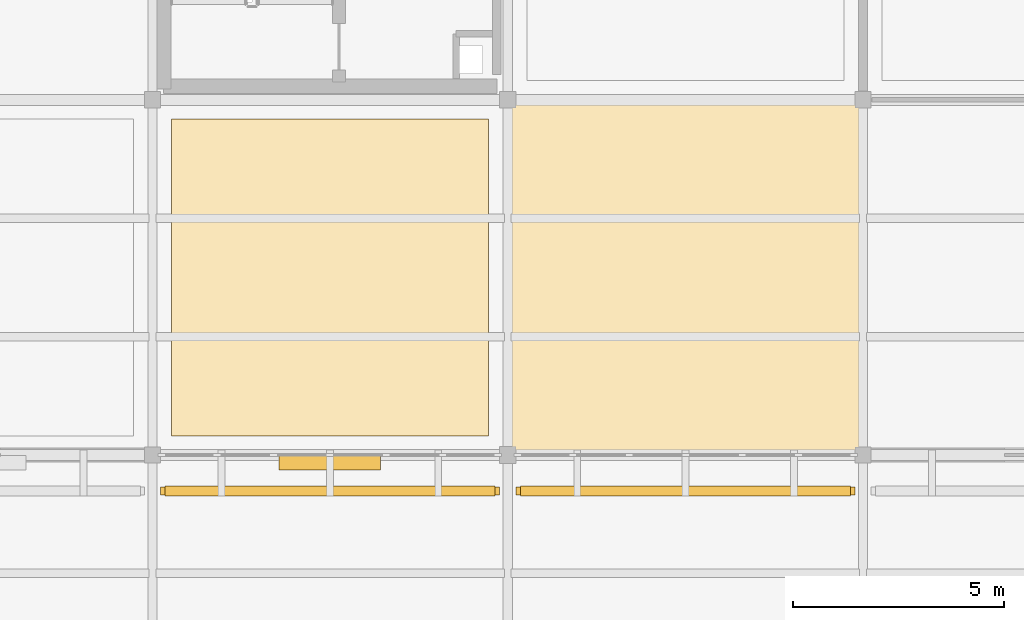
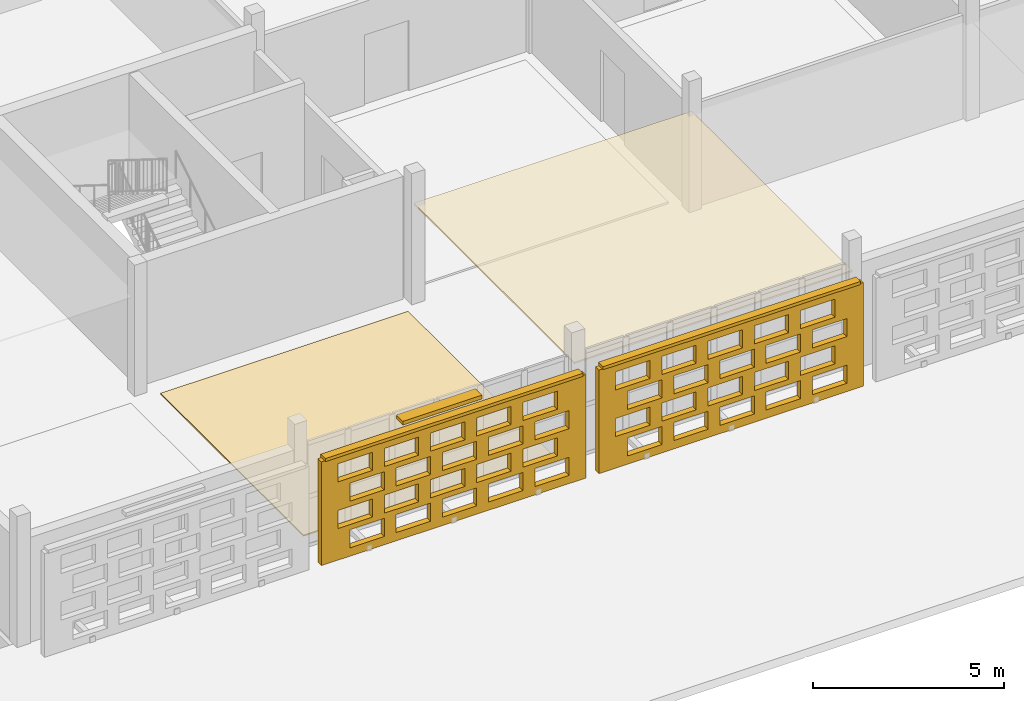
# One storey, part 97 of 140: 4 coverings, 3 shading devices, 40 openings.
"""IFC4 building model written with IfcOpenShell, lengths in metres."""

from ifc_helpers import new_model, si_unit, direction, frame, frame_2d, origin, origin_2d, place, context, subcontext, project, spatial, rectangle, extrude, material, layer, layer_set, type_object, element, save


model = new_model("IFC4")

# Units and contexts
model_context = context("Model", 3, precision=1e-05, world=origin(), true_north=direction((0.0, 1.0)))
body_context = subcontext(model_context, "Body", "Model", "MODEL_VIEW")
ifc_project = project(units=[si_unit("LENGTHUNIT", "METRE"), si_unit("AREAUNIT", "SQUARE_METRE"), si_unit("VOLUMEUNIT", "CUBIC_METRE"), si_unit("PLANEANGLEUNIT", "RADIAN"), si_unit("MASSUNIT", "GRAM", prefix="KILO")], contexts=[model_context])

# Site, building, storey
site_placement = place(None, origin())
site = spatial("IfcSite", under=ifc_project, at=site_placement, CompositionType="ELEMENT")
building_placement = place(site_placement, origin())
building = spatial("IfcBuilding", under=site, at=building_placement, Name="Varnapada Polytechnic", CompositionType="ELEMENT")
storey_placement = place(building_placement, frame((0.0, 0.0, 13.800048828125)))
storey = spatial("IfcBuildingStorey", under=building, at=storey_placement, Name="L03", CompositionType="ELEMENT", Elevation=13.800048828125)

# Covering
ifc_material_1 = material(Name="Acoustic Rubber Seminar Flooring")
ifc_layer_1 = layer(ifc_material_1, 0.0400390625)
ifc_layer_set_1 = layer_set([ifc_layer_1], Name="Acoustic Rubber Seminar Flooring")
covering_type_1 = type_object("IfcCoveringType", Name="Floor Finish FLR-06", PredefinedType="FLOORING", material=ifc_layer_set_1)
covering_1_placement = place(storey_placement, frame((21.0, 12.60009765625, 0.0), z_axis=(0.0, 0.0, 1.0), x_axis=(1.0, 0.0, 0.0)))
element("IfcCovering", 1, at=covering_1_placement, inside=storey, type_object=covering_type_1, Name="L03 floor finish panel (3,2)", PredefinedType="FLOORING", context=body_context, shape_type="SweptSolid", body=[
    extrude(rectangle(XDim=7.5, YDim=7.5, at=origin_2d()), origin(), (0.0, 0.0, 1.0), 0.0400390625),
])

# Shading device
ifc_material_2 = material(Name="Anodised aluminium", Category="aluminium")
ifc_layer_2 = layer(ifc_material_2, 0.35009765625)
ifc_layer_set_2 = layer_set([ifc_layer_2], Name="Anodised aluminium")
shading_device_type_1 = type_object("IfcShadingDeviceType", Name="Solar Louvre LVR-01", PredefinedType="JALOUSIE", material=ifc_layer_set_2)
shading_device_placement = place(storey_placement, frame((20.9951171875, 8.219970703125, 3.159912109375), z_axis=(0.0, 0.0, 1.0), x_axis=(-1.0, 0.0, 0.0)))
element("IfcShadingDevice", 2, at=shading_device_placement, inside=storey, type_object=shading_device_type_1, Name="L03 aluminium sun louvre 19", PredefinedType="JALOUSIE", context=body_context, shape_type="SweptSolid", body=[
    extrude(rectangle(XDim=2.39990234375, YDim=0.340087890625, at=origin_2d()), origin(), (0.0, 0.0, 1.0), 0.1201171875),
])

# Covering
ifc_material_3 = material(Name="Perforated Timber Slatted Baffle Ceiling", Category="wood")
ifc_layer_3 = layer(ifc_material_3, 0.050048828125)
ifc_layer_set_3 = layer_set([ifc_layer_3], Name="Perforated Timber Slatted Baffle Ceiling")
covering_type_2 = type_object("IfcCoveringType", Name="Suspended Ceiling CLG-02", PredefinedType="CEILING", material=ifc_layer_set_3)
covering_2_placement = place(storey_placement, frame((29.39990234375, 12.60009765625, 3.02490234375), z_axis=(0.0, 0.0, 1.0), x_axis=(1.0, 0.0, 0.0)))
element("IfcCovering", 3, at=covering_2_placement, inside=storey, type_object=covering_type_2, Name="L03 suspended acoustic ceiling (4,2)", PredefinedType="CEILING", context=body_context, shape_type="SweptSolid", body=[
    extrude(rectangle(XDim=8.419921875, YDim=8.419921875, at=origin_2d()), origin(), (0.0, 0.0, 1.0), 0.050048828125),
])

# Covering, openings
ifc_material_4 = material(Name="Earth-toned architectural terracotta screen block", Category="masonry")
ifc_layer_4 = layer(ifc_material_4, 0.1201171875)
ifc_layer_set_4 = layer_set([ifc_layer_4], Name="Earth-toned architectural terracotta screen block")
covering_type_3 = type_object("IfcCoveringType", Name="Terracotta Screen Cladding CLD-01", PredefinedType="CLADDING", material=ifc_layer_set_4)
covering_3_placement = place(storey_placement, frame((25.0, 7.550048828125, 0.0), z_axis=(0.0, 0.0, 1.0), x_axis=(-1.0, 0.0, 0.0)))
covering_3 = element("IfcCovering", 4, at=covering_3_placement, inside=storey, type_object=covering_type_3, Name="L03 perforated terracotta block screen (19)", PredefinedType="CLADDING", context=body_context, shape_type="SweptSolid", body=[
    extrude(rectangle(XDim=8.010009765625, YDim=0.179931640625, at=frame_2d((4.0048828125, 0.0))), origin(), (0.0, 0.0, 1.0), 3.320068359375),
])
opening_1_placement = place(covering_3_placement, frame((0.5048828125, 0.0, 0.265625)))
element("IfcOpeningElement", 5, at=opening_1_placement, cuts=covering_3, Name="Screen perforation TBS-L03-018.1", PredefinedType="OPENING", context=body_context, shape_type="SweptSolid", body=[
    extrude(rectangle(XDim=1.0400390625, YDim=0.5810546875, at=frame_2d((0.52001953125, 0.29052734375))), frame((0.0, 0.099853515625, 0.0), z_axis=(0.0, -1.0, 0.0), x_axis=(1.0, 0.0, 0.0)), (0.0, 0.0, 1.0), 0.199951171875),
])
opening_2_placement = place(covering_3_placement, frame((1.905029296875, 0.0, 0.265625)))
element("IfcOpeningElement", 6, at=opening_2_placement, cuts=covering_3, Name="Screen perforation TBS-L03-018.2", PredefinedType="OPENING", context=body_context, shape_type="SweptSolid", body=[
    extrude(rectangle(XDim=1.0400390625, YDim=0.5810546875, at=frame_2d((0.52001953125, 0.29052734375))), frame((0.0, 0.099853515625, 0.0), z_axis=(0.0, -1.0, 0.0), x_axis=(1.0, 0.0, 0.0)), (0.0, 0.0, 1.0), 0.199951171875),
])
opening_3_placement = place(covering_3_placement, frame((3.304931640625, 0.0, 0.265625)))
element("IfcOpeningElement", 7, at=opening_3_placement, cuts=covering_3, Name="Screen perforation TBS-L03-018.3", PredefinedType="OPENING", context=body_context, shape_type="SweptSolid", body=[
    extrude(rectangle(XDim=1.0400390625, YDim=0.5810546875, at=frame_2d((0.52001953125, 0.29052734375))), frame((0.0, 0.099853515625, 0.0), z_axis=(0.0, -1.0, 0.0), x_axis=(1.0, 0.0, 0.0)), (0.0, 0.0, 1.0), 0.199951171875),
])
opening_4_placement = place(covering_3_placement, frame((4.705078125, 0.0, 0.265625)))
element("IfcOpeningElement", 8, at=opening_4_placement, cuts=covering_3, Name="Screen perforation TBS-L03-018.4", PredefinedType="OPENING", context=body_context, shape_type="SweptSolid", body=[
    extrude(rectangle(XDim=1.0400390625, YDim=0.5810546875, at=frame_2d((0.52001953125, 0.29052734375))), frame((0.0, 0.099853515625, 0.0), z_axis=(0.0, -1.0, 0.0), x_axis=(1.0, 0.0, 0.0)), (0.0, 0.0, 1.0), 0.199951171875),
])
opening_5_placement = place(covering_3_placement, frame((6.10498046875, 0.0, 0.265625)))
element("IfcOpeningElement", 9, at=opening_5_placement, cuts=covering_3, Name="Screen perforation TBS-L03-018.5", PredefinedType="OPENING", context=body_context, shape_type="SweptSolid", body=[
    extrude(rectangle(XDim=1.0400390625, YDim=0.5810546875, at=frame_2d((0.52001953125, 0.29052734375))), frame((0.0, 0.099853515625, 0.0), z_axis=(0.0, -1.0, 0.0), x_axis=(1.0, 0.0, 0.0)), (0.0, 0.0, 1.0), 0.199951171875),
])
opening_6_placement = place(covering_3_placement, frame((0.864990234375, 0.0, 1.0126953125)))
element("IfcOpeningElement", 10, at=opening_6_placement, cuts=covering_3, Name="Screen perforation TBS-L03-018.6", PredefinedType="OPENING", context=body_context, shape_type="SweptSolid", body=[
    extrude(rectangle(XDim=1.0400390625, YDim=0.5810546875, at=frame_2d((0.52001953125, 0.29052734375))), frame((0.0, 0.099853515625, 0.0), z_axis=(0.0, -1.0, 0.0), x_axis=(1.0, 0.0, 0.0)), (0.0, 0.0, 1.0), 0.199951171875),
])
opening_7_placement = place(covering_3_placement, frame((2.264892578125, 0.0, 1.0126953125)))
element("IfcOpeningElement", 11, at=opening_7_placement, cuts=covering_3, Name="Screen perforation TBS-L03-018.7", PredefinedType="OPENING", context=body_context, shape_type="SweptSolid", body=[
    extrude(rectangle(XDim=1.0400390625, YDim=0.5810546875, at=frame_2d((0.52001953125, 0.29052734375))), frame((0.0, 0.099853515625, 0.0), z_axis=(0.0, -1.0, 0.0), x_axis=(1.0, 0.0, 0.0)), (0.0, 0.0, 1.0), 0.199951171875),
])
opening_8_placement = place(covering_3_placement, frame((3.6650390625, 0.0, 1.0126953125)))
element("IfcOpeningElement", 12, at=opening_8_placement, cuts=covering_3, Name="Screen perforation TBS-L03-018.8", PredefinedType="OPENING", context=body_context, shape_type="SweptSolid", body=[
    extrude(rectangle(XDim=1.0400390625, YDim=0.5810546875, at=frame_2d((0.52001953125, 0.29052734375))), frame((0.0, 0.099853515625, 0.0), z_axis=(0.0, -1.0, 0.0), x_axis=(1.0, 0.0, 0.0)), (0.0, 0.0, 1.0), 0.199951171875),
])
opening_9_placement = place(covering_3_placement, frame((5.06494140625, 0.0, 1.0126953125)))
element("IfcOpeningElement", 13, at=opening_9_placement, cuts=covering_3, Name="Screen perforation TBS-L03-018.9", PredefinedType="OPENING", context=body_context, shape_type="SweptSolid", body=[
    extrude(rectangle(XDim=1.0400390625, YDim=0.5810546875, at=frame_2d((0.52001953125, 0.29052734375))), frame((0.0, 0.099853515625, 0.0), z_axis=(0.0, -1.0, 0.0), x_axis=(1.0, 0.0, 0.0)), (0.0, 0.0, 1.0), 0.199951171875),
])
opening_10_placement = place(covering_3_placement, frame((6.465087890625, 0.0, 1.0126953125)))
element("IfcOpeningElement", 14, at=opening_10_placement, cuts=covering_3, Name="Screen perforation TBS-L03-018.10", PredefinedType="OPENING", context=body_context, shape_type="SweptSolid", body=[
    extrude(rectangle(XDim=1.0400390625, YDim=0.5810546875, at=frame_2d((0.52001953125, 0.29052734375))), frame((0.0, 0.099853515625, 0.0), z_axis=(0.0, -1.0, 0.0), x_axis=(1.0, 0.0, 0.0)), (0.0, 0.0, 1.0), 0.199951171875),
])
opening_11_placement = place(covering_3_placement, frame((0.5048828125, 0.0, 1.759521484375)))
element("IfcOpeningElement", 15, at=opening_11_placement, cuts=covering_3, Name="Screen perforation TBS-L03-018.11", PredefinedType="OPENING", context=body_context, shape_type="SweptSolid", body=[
    extrude(rectangle(XDim=1.0400390625, YDim=0.5810546875, at=frame_2d((0.52001953125, 0.29052734375))), frame((0.0, 0.099853515625, 0.0), z_axis=(0.0, -1.0, 0.0), x_axis=(1.0, 0.0, 0.0)), (0.0, 0.0, 1.0), 0.199951171875),
])
opening_12_placement = place(covering_3_placement, frame((1.905029296875, 0.0, 1.759521484375)))
element("IfcOpeningElement", 16, at=opening_12_placement, cuts=covering_3, Name="Screen perforation TBS-L03-018.12", PredefinedType="OPENING", context=body_context, shape_type="SweptSolid", body=[
    extrude(rectangle(XDim=1.0400390625, YDim=0.5810546875, at=frame_2d((0.52001953125, 0.29052734375))), frame((0.0, 0.099853515625, 0.0), z_axis=(0.0, -1.0, 0.0), x_axis=(1.0, 0.0, 0.0)), (0.0, 0.0, 1.0), 0.199951171875),
])
opening_13_placement = place(covering_3_placement, frame((3.304931640625, 0.0, 1.759521484375)))
element("IfcOpeningElement", 17, at=opening_13_placement, cuts=covering_3, Name="Screen perforation TBS-L03-018.13", PredefinedType="OPENING", context=body_context, shape_type="SweptSolid", body=[
    extrude(rectangle(XDim=1.0400390625, YDim=0.5810546875, at=frame_2d((0.52001953125, 0.29052734375))), frame((0.0, 0.099853515625, 0.0), z_axis=(0.0, -1.0, 0.0), x_axis=(1.0, 0.0, 0.0)), (0.0, 0.0, 1.0), 0.199951171875),
])
opening_14_placement = place(covering_3_placement, frame((4.705078125, 0.0, 1.759521484375)))
element("IfcOpeningElement", 18, at=opening_14_placement, cuts=covering_3, Name="Screen perforation TBS-L03-018.14", PredefinedType="OPENING", context=body_context, shape_type="SweptSolid", body=[
    extrude(rectangle(XDim=1.0400390625, YDim=0.5810546875, at=frame_2d((0.52001953125, 0.29052734375))), frame((0.0, 0.099853515625, 0.0), z_axis=(0.0, -1.0, 0.0), x_axis=(1.0, 0.0, 0.0)), (0.0, 0.0, 1.0), 0.199951171875),
])
opening_15_placement = place(covering_3_placement, frame((6.10498046875, 0.0, 1.759521484375)))
element("IfcOpeningElement", 19, at=opening_15_placement, cuts=covering_3, Name="Screen perforation TBS-L03-018.15", PredefinedType="OPENING", context=body_context, shape_type="SweptSolid", body=[
    extrude(rectangle(XDim=1.0400390625, YDim=0.5810546875, at=frame_2d((0.52001953125, 0.29052734375))), frame((0.0, 0.099853515625, 0.0), z_axis=(0.0, -1.0, 0.0), x_axis=(1.0, 0.0, 0.0)), (0.0, 0.0, 1.0), 0.199951171875),
])
opening_16_placement = place(covering_3_placement, frame((0.864990234375, 0.0, 2.506591796875)))
element("IfcOpeningElement", 20, at=opening_16_placement, cuts=covering_3, Name="Screen perforation TBS-L03-018.16", PredefinedType="OPENING", context=body_context, shape_type="SweptSolid", body=[
    extrude(rectangle(XDim=1.0400390625, YDim=0.5810546875, at=frame_2d((0.52001953125, 0.29052734375))), frame((0.0, 0.099853515625, 0.0), z_axis=(0.0, -1.0, 0.0), x_axis=(1.0, 0.0, 0.0)), (0.0, 0.0, 1.0), 0.199951171875),
])
opening_17_placement = place(covering_3_placement, frame((2.264892578125, 0.0, 2.506591796875)))
element("IfcOpeningElement", 21, at=opening_17_placement, cuts=covering_3, Name="Screen perforation TBS-L03-018.17", PredefinedType="OPENING", context=body_context, shape_type="SweptSolid", body=[
    extrude(rectangle(XDim=1.0400390625, YDim=0.5810546875, at=frame_2d((0.52001953125, 0.29052734375))), frame((0.0, 0.099853515625, 0.0), z_axis=(0.0, -1.0, 0.0), x_axis=(1.0, 0.0, 0.0)), (0.0, 0.0, 1.0), 0.199951171875),
])
opening_18_placement = place(covering_3_placement, frame((3.6650390625, 0.0, 2.506591796875)))
element("IfcOpeningElement", 22, at=opening_18_placement, cuts=covering_3, Name="Screen perforation TBS-L03-018.18", PredefinedType="OPENING", context=body_context, shape_type="SweptSolid", body=[
    extrude(rectangle(XDim=1.0400390625, YDim=0.5810546875, at=frame_2d((0.52001953125, 0.29052734375))), frame((0.0, 0.099853515625, 0.0), z_axis=(0.0, -1.0, 0.0), x_axis=(1.0, 0.0, 0.0)), (0.0, 0.0, 1.0), 0.199951171875),
])
opening_19_placement = place(covering_3_placement, frame((5.06494140625, 0.0, 2.506591796875)))
element("IfcOpeningElement", 23, at=opening_19_placement, cuts=covering_3, Name="Screen perforation TBS-L03-018.19", PredefinedType="OPENING", context=body_context, shape_type="SweptSolid", body=[
    extrude(rectangle(XDim=1.0400390625, YDim=0.5810546875, at=frame_2d((0.52001953125, 0.29052734375))), frame((0.0, 0.099853515625, 0.0), z_axis=(0.0, -1.0, 0.0), x_axis=(1.0, 0.0, 0.0)), (0.0, 0.0, 1.0), 0.199951171875),
])
opening_20_placement = place(covering_3_placement, frame((6.465087890625, 0.0, 2.506591796875)))
element("IfcOpeningElement", 24, at=opening_20_placement, cuts=covering_3, Name="Screen perforation TBS-L03-018.20", PredefinedType="OPENING", context=body_context, shape_type="SweptSolid", body=[
    extrude(rectangle(XDim=1.0400390625, YDim=0.5810546875, at=frame_2d((0.52001953125, 0.29052734375))), frame((0.0, 0.099853515625, 0.0), z_axis=(0.0, -1.0, 0.0), x_axis=(1.0, 0.0, 0.0)), (0.0, 0.0, 1.0), 0.199951171875),
])

covering_4_placement = place(storey_placement, frame((33.409912109375, 7.550048828125, 0.0), z_axis=(0.0, 0.0, 1.0), x_axis=(-1.0, 0.0, 0.0)))
covering_4 = element("IfcCovering", 25, at=covering_4_placement, inside=storey, type_object=covering_type_3, Name="L03 perforated terracotta block screen (21)", PredefinedType="CLADDING", context=body_context, shape_type="SweptSolid", body=[
    extrude(rectangle(XDim=8.010009765625, YDim=0.179931640625, at=frame_2d((4.0048828125, 0.0))), origin(), (0.0, 0.0, 1.0), 3.320068359375),
])
opening_21_placement = place(covering_4_placement, frame((0.5048828125, 0.0, 0.265625)))
element("IfcOpeningElement", 26, at=opening_21_placement, cuts=covering_4, Name="Screen perforation TBS-L03-020.1", PredefinedType="OPENING", context=body_context, shape_type="SweptSolid", body=[
    extrude(rectangle(XDim=1.0400390625, YDim=0.5810546875, at=frame_2d((0.52001953125, 0.29052734375))), frame((0.0, 0.099853515625, 0.0), z_axis=(0.0, -1.0, 0.0), x_axis=(1.0, 0.0, 0.0)), (0.0, 0.0, 1.0), 0.199951171875),
])
opening_22_placement = place(covering_4_placement, frame((1.905029296875, 0.0, 0.265625)))
element("IfcOpeningElement", 27, at=opening_22_placement, cuts=covering_4, Name="Screen perforation TBS-L03-020.2", PredefinedType="OPENING", context=body_context, shape_type="SweptSolid", body=[
    extrude(rectangle(XDim=1.0400390625, YDim=0.5810546875, at=frame_2d((0.52001953125, 0.29052734375))), frame((0.0, 0.099853515625, 0.0), z_axis=(0.0, -1.0, 0.0), x_axis=(1.0, 0.0, 0.0)), (0.0, 0.0, 1.0), 0.199951171875),
])
opening_23_placement = place(covering_4_placement, frame((3.304931640625, 0.0, 0.265625)))
element("IfcOpeningElement", 28, at=opening_23_placement, cuts=covering_4, Name="Screen perforation TBS-L03-020.3", PredefinedType="OPENING", context=body_context, shape_type="SweptSolid", body=[
    extrude(rectangle(XDim=1.0400390625, YDim=0.5810546875, at=frame_2d((0.52001953125, 0.29052734375))), frame((0.0, 0.099853515625, 0.0), z_axis=(0.0, -1.0, 0.0), x_axis=(1.0, 0.0, 0.0)), (0.0, 0.0, 1.0), 0.199951171875),
])
opening_24_placement = place(covering_4_placement, frame((4.705078125, 0.0, 0.265625)))
element("IfcOpeningElement", 29, at=opening_24_placement, cuts=covering_4, Name="Screen perforation TBS-L03-020.4", PredefinedType="OPENING", context=body_context, shape_type="SweptSolid", body=[
    extrude(rectangle(XDim=1.0400390625, YDim=0.5810546875, at=frame_2d((0.52001953125, 0.29052734375))), frame((0.0, 0.099853515625, 0.0), z_axis=(0.0, -1.0, 0.0), x_axis=(1.0, 0.0, 0.0)), (0.0, 0.0, 1.0), 0.199951171875),
])
opening_25_placement = place(covering_4_placement, frame((6.10498046875, 0.0, 0.265625)))
element("IfcOpeningElement", 30, at=opening_25_placement, cuts=covering_4, Name="Screen perforation TBS-L03-020.5", PredefinedType="OPENING", context=body_context, shape_type="SweptSolid", body=[
    extrude(rectangle(XDim=1.0400390625, YDim=0.5810546875, at=frame_2d((0.52001953125, 0.29052734375))), frame((0.0, 0.099853515625, 0.0), z_axis=(0.0, -1.0, 0.0), x_axis=(1.0, 0.0, 0.0)), (0.0, 0.0, 1.0), 0.199951171875),
])
opening_26_placement = place(covering_4_placement, frame((0.864990234375, 0.0, 1.0126953125)))
element("IfcOpeningElement", 31, at=opening_26_placement, cuts=covering_4, Name="Screen perforation TBS-L03-020.6", PredefinedType="OPENING", context=body_context, shape_type="SweptSolid", body=[
    extrude(rectangle(XDim=1.0400390625, YDim=0.5810546875, at=frame_2d((0.52001953125, 0.29052734375))), frame((0.0, 0.099853515625, 0.0), z_axis=(0.0, -1.0, 0.0), x_axis=(1.0, 0.0, 0.0)), (0.0, 0.0, 1.0), 0.199951171875),
])
opening_27_placement = place(covering_4_placement, frame((2.264892578125, 0.0, 1.0126953125)))
element("IfcOpeningElement", 32, at=opening_27_placement, cuts=covering_4, Name="Screen perforation TBS-L03-020.7", PredefinedType="OPENING", context=body_context, shape_type="SweptSolid", body=[
    extrude(rectangle(XDim=1.0400390625, YDim=0.5810546875, at=frame_2d((0.52001953125, 0.29052734375))), frame((0.0, 0.099853515625, 0.0), z_axis=(0.0, -1.0, 0.0), x_axis=(1.0, 0.0, 0.0)), (0.0, 0.0, 1.0), 0.199951171875),
])
opening_28_placement = place(covering_4_placement, frame((3.6650390625, 0.0, 1.0126953125)))
element("IfcOpeningElement", 33, at=opening_28_placement, cuts=covering_4, Name="Screen perforation TBS-L03-020.8", PredefinedType="OPENING", context=body_context, shape_type="SweptSolid", body=[
    extrude(rectangle(XDim=1.0400390625, YDim=0.5810546875, at=frame_2d((0.52001953125, 0.29052734375))), frame((0.0, 0.099853515625, 0.0), z_axis=(0.0, -1.0, 0.0), x_axis=(1.0, 0.0, 0.0)), (0.0, 0.0, 1.0), 0.199951171875),
])
opening_29_placement = place(covering_4_placement, frame((5.06494140625, 0.0, 1.0126953125)))
element("IfcOpeningElement", 34, at=opening_29_placement, cuts=covering_4, Name="Screen perforation TBS-L03-020.9", PredefinedType="OPENING", context=body_context, shape_type="SweptSolid", body=[
    extrude(rectangle(XDim=1.0400390625, YDim=0.5810546875, at=frame_2d((0.52001953125, 0.29052734375))), frame((0.0, 0.099853515625, 0.0), z_axis=(0.0, -1.0, 0.0), x_axis=(1.0, 0.0, 0.0)), (0.0, 0.0, 1.0), 0.199951171875),
])
opening_30_placement = place(covering_4_placement, frame((6.465087890625, 0.0, 1.0126953125)))
element("IfcOpeningElement", 35, at=opening_30_placement, cuts=covering_4, Name="Screen perforation TBS-L03-020.10", PredefinedType="OPENING", context=body_context, shape_type="SweptSolid", body=[
    extrude(rectangle(XDim=1.0400390625, YDim=0.5810546875, at=frame_2d((0.52001953125, 0.29052734375))), frame((0.0, 0.099853515625, 0.0), z_axis=(0.0, -1.0, 0.0), x_axis=(1.0, 0.0, 0.0)), (0.0, 0.0, 1.0), 0.199951171875),
])
opening_31_placement = place(covering_4_placement, frame((0.5048828125, 0.0, 1.759521484375)))
element("IfcOpeningElement", 36, at=opening_31_placement, cuts=covering_4, Name="Screen perforation TBS-L03-020.11", PredefinedType="OPENING", context=body_context, shape_type="SweptSolid", body=[
    extrude(rectangle(XDim=1.0400390625, YDim=0.5810546875, at=frame_2d((0.52001953125, 0.29052734375))), frame((0.0, 0.099853515625, 0.0), z_axis=(0.0, -1.0, 0.0), x_axis=(1.0, 0.0, 0.0)), (0.0, 0.0, 1.0), 0.199951171875),
])
opening_32_placement = place(covering_4_placement, frame((1.905029296875, 0.0, 1.759521484375)))
element("IfcOpeningElement", 37, at=opening_32_placement, cuts=covering_4, Name="Screen perforation TBS-L03-020.12", PredefinedType="OPENING", context=body_context, shape_type="SweptSolid", body=[
    extrude(rectangle(XDim=1.0400390625, YDim=0.5810546875, at=frame_2d((0.52001953125, 0.29052734375))), frame((0.0, 0.099853515625, 0.0), z_axis=(0.0, -1.0, 0.0), x_axis=(1.0, 0.0, 0.0)), (0.0, 0.0, 1.0), 0.199951171875),
])
opening_33_placement = place(covering_4_placement, frame((3.304931640625, 0.0, 1.759521484375)))
element("IfcOpeningElement", 38, at=opening_33_placement, cuts=covering_4, Name="Screen perforation TBS-L03-020.13", PredefinedType="OPENING", context=body_context, shape_type="SweptSolid", body=[
    extrude(rectangle(XDim=1.0400390625, YDim=0.5810546875, at=frame_2d((0.52001953125, 0.29052734375))), frame((0.0, 0.099853515625, 0.0), z_axis=(0.0, -1.0, 0.0), x_axis=(1.0, 0.0, 0.0)), (0.0, 0.0, 1.0), 0.199951171875),
])
opening_34_placement = place(covering_4_placement, frame((4.705078125, 0.0, 1.759521484375)))
element("IfcOpeningElement", 39, at=opening_34_placement, cuts=covering_4, Name="Screen perforation TBS-L03-020.14", PredefinedType="OPENING", context=body_context, shape_type="SweptSolid", body=[
    extrude(rectangle(XDim=1.0400390625, YDim=0.5810546875, at=frame_2d((0.52001953125, 0.29052734375))), frame((0.0, 0.099853515625, 0.0), z_axis=(0.0, -1.0, 0.0), x_axis=(1.0, 0.0, 0.0)), (0.0, 0.0, 1.0), 0.199951171875),
])
opening_35_placement = place(covering_4_placement, frame((6.10498046875, 0.0, 1.759521484375)))
element("IfcOpeningElement", 40, at=opening_35_placement, cuts=covering_4, Name="Screen perforation TBS-L03-020.15", PredefinedType="OPENING", context=body_context, shape_type="SweptSolid", body=[
    extrude(rectangle(XDim=1.0400390625, YDim=0.5810546875, at=frame_2d((0.52001953125, 0.29052734375))), frame((0.0, 0.099853515625, 0.0), z_axis=(0.0, -1.0, 0.0), x_axis=(1.0, 0.0, 0.0)), (0.0, 0.0, 1.0), 0.199951171875),
])
opening_36_placement = place(covering_4_placement, frame((0.864990234375, 0.0, 2.506591796875)))
element("IfcOpeningElement", 41, at=opening_36_placement, cuts=covering_4, Name="Screen perforation TBS-L03-020.16", PredefinedType="OPENING", context=body_context, shape_type="SweptSolid", body=[
    extrude(rectangle(XDim=1.0400390625, YDim=0.5810546875, at=frame_2d((0.52001953125, 0.29052734375))), frame((0.0, 0.099853515625, 0.0), z_axis=(0.0, -1.0, 0.0), x_axis=(1.0, 0.0, 0.0)), (0.0, 0.0, 1.0), 0.199951171875),
])
opening_37_placement = place(covering_4_placement, frame((2.264892578125, 0.0, 2.506591796875)))
element("IfcOpeningElement", 42, at=opening_37_placement, cuts=covering_4, Name="Screen perforation TBS-L03-020.17", PredefinedType="OPENING", context=body_context, shape_type="SweptSolid", body=[
    extrude(rectangle(XDim=1.0400390625, YDim=0.5810546875, at=frame_2d((0.52001953125, 0.29052734375))), frame((0.0, 0.099853515625, 0.0), z_axis=(0.0, -1.0, 0.0), x_axis=(1.0, 0.0, 0.0)), (0.0, 0.0, 1.0), 0.199951171875),
])
opening_38_placement = place(covering_4_placement, frame((3.6650390625, 0.0, 2.506591796875)))
element("IfcOpeningElement", 43, at=opening_38_placement, cuts=covering_4, Name="Screen perforation TBS-L03-020.18", PredefinedType="OPENING", context=body_context, shape_type="SweptSolid", body=[
    extrude(rectangle(XDim=1.0400390625, YDim=0.5810546875, at=frame_2d((0.52001953125, 0.29052734375))), frame((0.0, 0.099853515625, 0.0), z_axis=(0.0, -1.0, 0.0), x_axis=(1.0, 0.0, 0.0)), (0.0, 0.0, 1.0), 0.199951171875),
])
opening_39_placement = place(covering_4_placement, frame((5.06494140625, 0.0, 2.506591796875)))
element("IfcOpeningElement", 44, at=opening_39_placement, cuts=covering_4, Name="Screen perforation TBS-L03-020.19", PredefinedType="OPENING", context=body_context, shape_type="SweptSolid", body=[
    extrude(rectangle(XDim=1.0400390625, YDim=0.5810546875, at=frame_2d((0.52001953125, 0.29052734375))), frame((0.0, 0.099853515625, 0.0), z_axis=(0.0, -1.0, 0.0), x_axis=(1.0, 0.0, 0.0)), (0.0, 0.0, 1.0), 0.199951171875),
])
opening_40_placement = place(covering_4_placement, frame((6.465087890625, 0.0, 2.506591796875)))
element("IfcOpeningElement", 45, at=opening_40_placement, cuts=covering_4, Name="Screen perforation TBS-L03-020.20", PredefinedType="OPENING", context=body_context, shape_type="SweptSolid", body=[
    extrude(rectangle(XDim=1.0400390625, YDim=0.5810546875, at=frame_2d((0.52001953125, 0.29052734375))), frame((0.0, 0.099853515625, 0.0), z_axis=(0.0, -1.0, 0.0), x_axis=(1.0, 0.0, 0.0)), (0.0, 0.0, 1.0), 0.199951171875),
])

# Shading devices
ifc_layer_5 = layer(ifc_material_4, 0.179931640625)
ifc_layer_set_5 = layer_set([ifc_layer_5], Name="Earth-toned architectural terracotta screen block")
shading_device_type_2 = type_object("IfcShadingDeviceType", Name="Terracotta Screen SCR-01", PredefinedType="USERDEFINED", material=ifc_layer_set_5)
for number, where, z_axis, x_axis, name in (
    (46, (20.9951171875, 7.550048828125, 3.309814453125), (0.0, 0.0, 1.0), (-1.0, 0.0, 0.0), "L03 perforated terracotta screen hood 354"),
    (47, (29.405029296875, 7.550048828125, 3.309814453125), (0.0, 0.0, 1.0), (-1.0, 0.0, 0.0), "L03 perforated terracotta screen hood 356"),
):
    element("IfcShadingDevice", number, at=place(storey_placement, frame(where, z_axis=z_axis, x_axis=x_axis)), inside=storey, type_object=shading_device_type_2, Name=name, ObjectType="SCREEN", PredefinedType="USERDEFINED", context=body_context, shape_type="SweptSolid", body=[
        extrude(rectangle(XDim=7.81005859375, YDim=0.239990234375, at=origin_2d()), origin(), (0.0, 0.0, 1.0), 0.10009765625),
    ])

save(model, "model.ifc")
